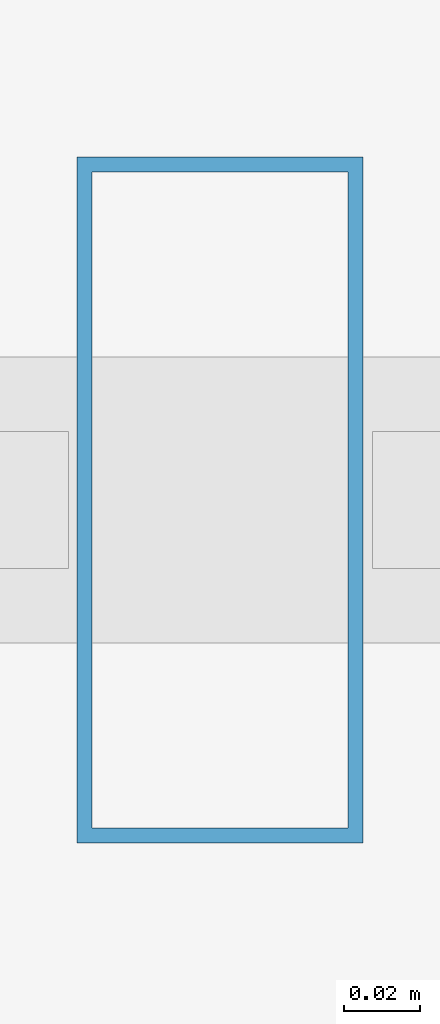
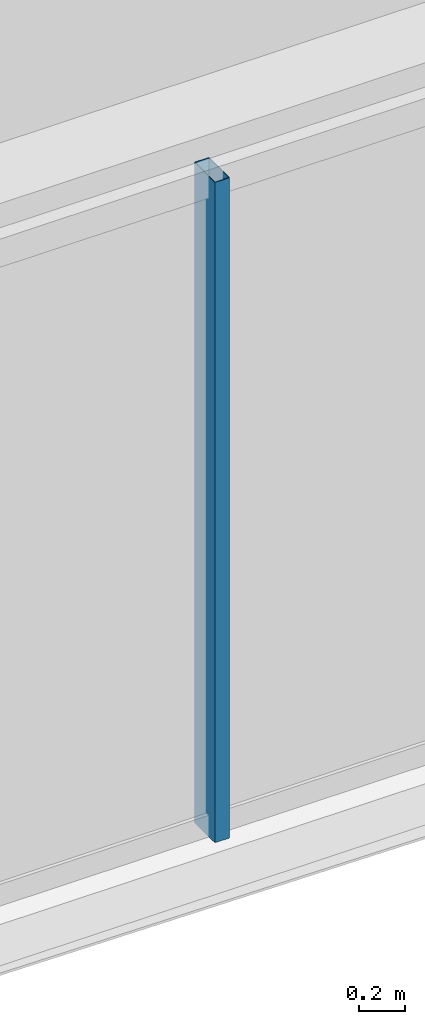
# One storey, part 9 of 35: 1 member, 1 element without a shape of its own.
"""IFC4 building model written with IfcOpenShell, lengths in metres."""

from ifc_helpers import new_model, si_unit, direction, frame, origin, origin_2d, place, context, subcontext, project, spatial, hollow_rectangle, extrude, material, layer, layer_set, material_profile, profile_set, type_object, element, aggregate, save


model = new_model("IFC4")

# Units and contexts
model_context = context("Model", 3, precision=1e-05, world=origin(), true_north=direction((0.0, 1.0)))
body_context = subcontext(model_context, "Body", "Model", "MODEL_VIEW")
ifc_project = project(units=[si_unit("LENGTHUNIT", "METRE"), si_unit("AREAUNIT", "SQUARE_METRE"), si_unit("VOLUMEUNIT", "CUBIC_METRE"), si_unit("PLANEANGLEUNIT", "RADIAN"), si_unit("MASSUNIT", "GRAM", prefix="KILO")], contexts=[model_context])

# Site, building, storey
site_placement = place(None, origin())
site = spatial("IfcSite", under=ifc_project, at=site_placement, CompositionType="ELEMENT")
building_placement = place(site_placement, origin())
building = spatial("IfcBuilding", under=site, at=building_placement, Name="Ndaravel Arena Tower", CompositionType="ELEMENT")
storey_placement = place(building_placement, frame((0.0, 0.0, 275.0)))
storey = spatial("IfcBuildingStorey", under=building, at=storey_placement, Name="L67", CompositionType="ELEMENT", Elevation=275.0)

# Curtain wall, member
ifc_material_1 = material(Name="Aluminium", Category="aluminium")
ifc_layer = layer(ifc_material_1, 0.179931640625)
ifc_layer_set = layer_set([ifc_layer], Name="Aluminium")
curtain_wall_type = type_object("IfcCurtainWallType", Name="CW-SYS-03", PredefinedType="NOTDEFINED", material=ifc_layer_set)
curtain_wall_placement = place(storey_placement, origin())
curtain_wall = element("IfcCurtainWall", 1, at=curtain_wall_placement, inside=storey, type_object=curtain_wall_type, Name="L67 Faceted Crystal Curtain Wall CW-L67-E01", PredefinedType="NOTDEFINED")
ifc_material_2 = material(Name="Aluminium", Category="aluminium")
ifc_material_profile = material_profile(ifc_material_2, hollow_rectangle(XDim=0.074951171875, YDim=0.179931640625, WallThickness=0.00390625, at=origin_2d()), Name="CW MULLION 75x180x4")
ifc_profile_set = profile_set([ifc_material_profile], Name="Aluminium")
member_type = type_object("IfcMemberType", Name="MEM-CW-MUL180", PredefinedType="MULLION", material=ifc_profile_set)
member_placement = place(storey_placement, frame((39.7822265625, 5.159912109375, 0.0), z_axis=(0.0, 0.0, 1.0), x_axis=(1.0, 0.0, 0.0)))
member = element("IfcMember", 2, at=member_placement, type_object=member_type, Name="CW-L67-E01 Mullion 04", PredefinedType="MULLION", context=body_context, shape_type="SweptSolid", body=[
    extrude(hollow_rectangle(XDim=0.074951171875, YDim=0.179931640625, WallThickness=0.00390625, at=origin_2d()), origin(), (0.0, 0.0, 1.0), 3.52001953125),
])
aggregate(curtain_wall, [member])

save(model, "model.ifc")
